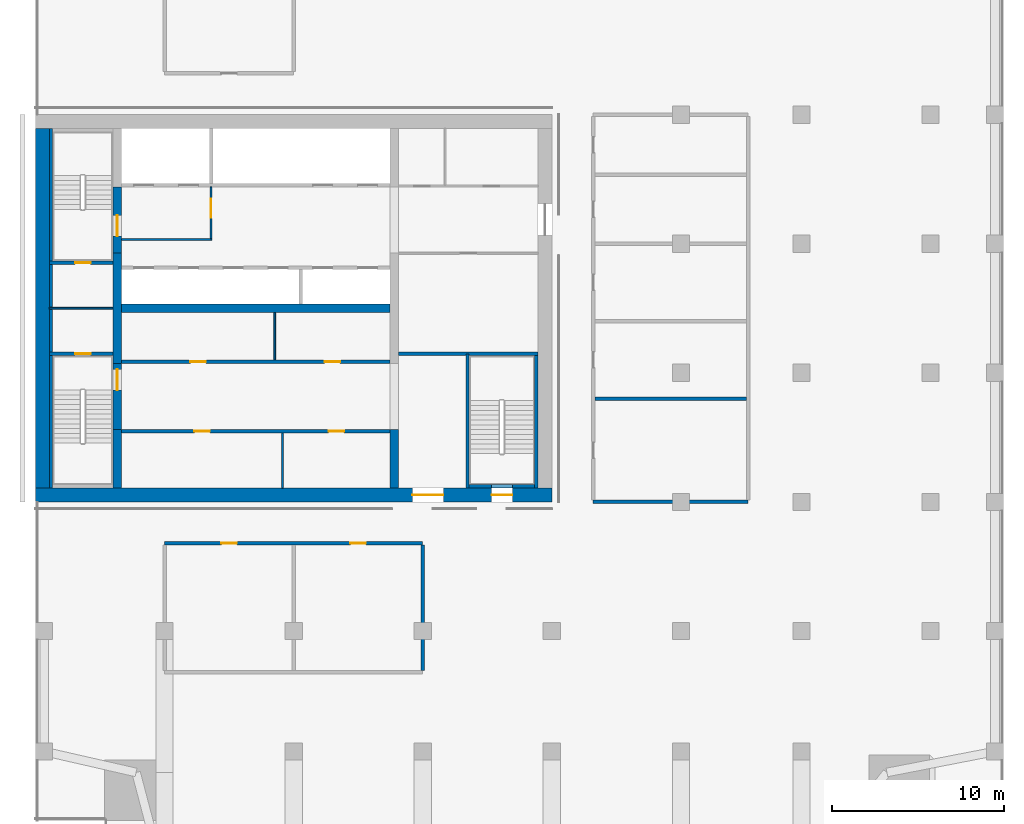
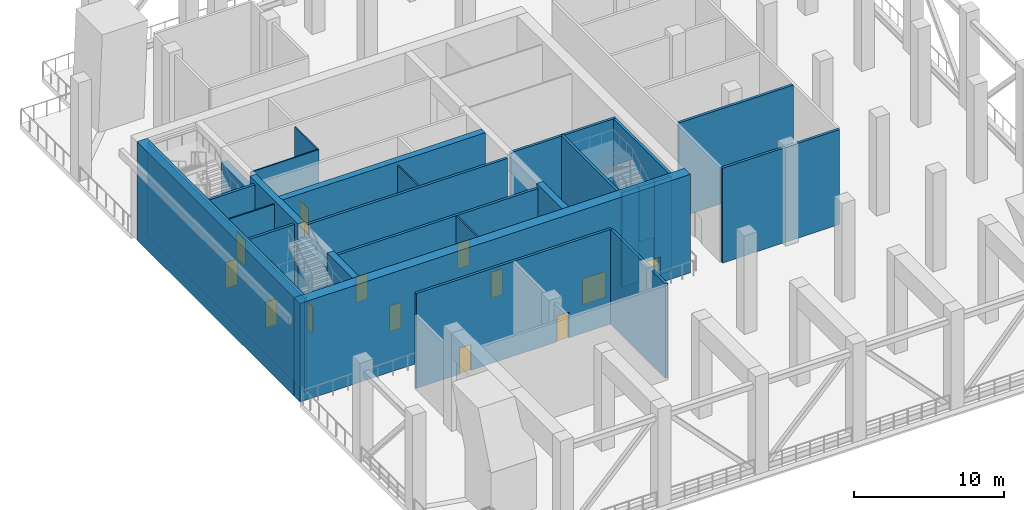
# One storey, part 3 of 12: 28 walls, 13 doors, 13 openings.
"""IFC4 building model written with IfcOpenShell, lengths in metres."""

from ifc_helpers import new_model, si_unit, direction, frame, frame_2d, origin, place, context, subcontext, project, spatial, rectangle, extrude, material, layer, layer_set, type_object, element, fill, save


model = new_model("IFC4")

# Units and contexts
model_context = context("Model", 3, precision=1e-05, world=origin(), true_north=direction((0.0, 1.0)))
body_context = subcontext(model_context, "Body", "Model", "MODEL_VIEW")
ifc_project = project(units=[si_unit("LENGTHUNIT", "METRE"), si_unit("AREAUNIT", "SQUARE_METRE"), si_unit("VOLUMEUNIT", "CUBIC_METRE"), si_unit("PLANEANGLEUNIT", "RADIAN"), si_unit("MASSUNIT", "GRAM", prefix="KILO")], contexts=[model_context])

# Site, building, storey
site_placement = place(None, origin())
site = spatial("IfcSite", under=ifc_project, at=site_placement, CompositionType="ELEMENT")
building_placement = place(site_placement, origin())
building = spatial("IfcBuilding", under=site, at=building_placement, Name="Tamorin Gate", CompositionType="ELEMENT")
storey_placement = place(building_placement, frame((0.0, 0.0, 166.199951171875)))
storey = spatial("IfcBuildingStorey", under=building, at=storey_placement, Name="L41", CompositionType="ELEMENT", Elevation=166.199951171875)

# Wall
ifc_material_1 = material(Name="Fire-rated gypsum board partition")
ifc_layer_1 = layer(ifc_material_1, 0.10009765625)
ifc_layer_set_1 = layer_set([ifc_layer_1], Name="Lobby wall 100 EI 60")
wall_type_1 = type_object("IfcWallType", Name="Lobby wall 100 EI 60", PredefinedType="PARTITIONING", material=ifc_layer_set_1)
wall_1_placement = place(storey_placement, frame((35.0, 75.25, 0.0), z_axis=(0.0, 0.0, 1.0), x_axis=(1.0, 0.0, 0.0)))
element("IfcWall", 1, at=wall_1_placement, inside=storey, type_object=wall_type_1, Name="Firefighting lobby wall", PredefinedType="PARTITIONING", context=body_context, shape_type="SweptSolid", body=[
    extrude(rectangle(XDim=5.25, YDim=0.10009765625, at=frame_2d((2.625, 0.0))), origin(), (0.0, 0.0, 1.0), 7.699951171875),
])

# Wall, opening, door
wall_2_placement = place(storey_placement, frame((40.199951171875, 75.300048828125, 0.0), z_axis=(0.0, 0.0, 1.0), x_axis=(0.0, 1.0, 0.0)))
wall_2 = element("IfcWall", 2, at=wall_2_placement, inside=storey, type_object=wall_type_1, Name="Firefighting lobby wall", PredefinedType="PARTITIONING", context=body_context, shape_type="SweptSolid", body=[
    extrude(rectangle(XDim=3.0, YDim=0.10009765625, at=frame_2d((1.5, 0.0))), origin(), (0.0, 0.0, 1.0), 7.699951171875),
])
opening_1_placement = place(wall_2_placement, frame((1.199951171875, 0.0, 0.0)))
opening_1 = element("IfcOpeningElement", 3, at=opening_1_placement, cuts=wall_2, Name="Opening DF1", PredefinedType="OPENING", context=body_context, shape_type="SweptSolid", body=[
    extrude(rectangle(XDim=1.10009765625, YDim=2.10009765625, at=frame_2d((0.550048828125, 1.050048828125))), frame((0.0, 0.06005859375, 0.0), z_axis=(0.0, -1.0, 0.0), x_axis=(1.0, 0.0, 0.0)), (0.0, 0.0, 1.0), 0.1201171875),
])
ifc_material_2 = material(Name="Steel fire door", Category="steel")
door_type_1 = type_object("IfcDoorType", Name="Firefighting lobby door 1100 x 2100 EI 90", OperationType="SINGLE_SWING_LEFT", PredefinedType="DOOR", material=ifc_material_2)
door_1_placement = place(opening_1_placement, origin())
door_1 = element("IfcDoor", 4, at=door_1_placement, inside=storey, type_object=door_type_1, Name="Firefighting lobby door", OperationType="SINGLE_SWING_LEFT", OverallHeight=2.10009765625, OverallWidth=1.10009765625, PredefinedType="DOOR", context=body_context, shape_type="SweptSolid", body=[
    extrude(rectangle(XDim=1.10009765625, YDim=2.10009765625, at=frame_2d((0.550048828125, 1.050048828125))), frame((0.0, 0.02490234375, 0.0), z_axis=(0.0, -1.0, 0.0), x_axis=(1.0, 0.0, 0.0)), (0.0, 0.0, 1.0), 0.050048828125),
])
fill(opening_1, door_1)

# Wall, openings, doors
ifc_material_3 = material(Name="Gypsum board partition")
ifc_layer_2 = layer(ifc_material_3, 0.199951171875)
ifc_layer_set_2 = layer_set([ifc_layer_2], Name="Plant and refuge wall 200")
wall_type_2 = type_object("IfcWallType", Name="Plant and refuge wall 200", PredefinedType="PARTITIONING", material=ifc_layer_set_2)
wall_3_placement = place(storey_placement, frame((37.5, 57.60009765625, 0.0), z_axis=(0.0, 0.0, 1.0), x_axis=(1.0, 0.0, 0.0)))
wall_3 = element("IfcWall", 5, at=wall_3_placement, inside=storey, type_object=wall_type_2, Name="Plant and refuge wall 200", PredefinedType="PARTITIONING", context=body_context, shape_type="SweptSolid", body=[
    extrude(rectangle(XDim=15.0, YDim=0.199951171875, at=frame_2d((7.5, 0.0))), origin(), (0.0, 0.0, 1.0), 7.699951171875),
])
opening_2_placement = place(wall_3_placement, frame((3.300048828125, 0.0, 0.0)))
opening_2 = element("IfcOpeningElement", 6, at=opening_2_placement, cuts=wall_3, Name="Opening DWF1006", PredefinedType="OPENING", context=body_context, shape_type="SweptSolid", body=[
    extrude(rectangle(XDim=0.89990234375, YDim=2.10009765625, at=frame_2d((0.449951171875, 1.050048828125))), frame((0.0, 0.10986328125, 0.0), z_axis=(0.0, -1.0, 0.0), x_axis=(1.0, 0.0, 0.0)), (0.0, 0.0, 1.0), 0.219970703125),
])
opening_3_placement = place(wall_3_placement, frame((10.800048828125, 0.0, 0.0)))
opening_3 = element("IfcOpeningElement", 7, at=opening_3_placement, cuts=wall_3, Name="Opening DWF1007", PredefinedType="OPENING", context=body_context, shape_type="SweptSolid", body=[
    extrude(rectangle(XDim=0.89990234375, YDim=2.10009765625, at=frame_2d((0.449951171875, 1.050048828125))), frame((0.0, 0.10986328125, 0.0), z_axis=(0.0, -1.0, 0.0), x_axis=(1.0, 0.0, 0.0)), (0.0, 0.0, 1.0), 0.219970703125),
])
ifc_material_4 = material(Name="Timber door leaf", Category="wood")
door_type_2 = type_object("IfcDoorType", Name="Door 900 x 2100 FD60", OperationType="NOTDEFINED", PredefinedType="DOOR", material=ifc_material_4)
door_2_placement = place(opening_2_placement, origin())
door_2 = element("IfcDoor", 8, at=door_2_placement, inside=storey, type_object=door_type_2, Name="Door DWF1006", OperationType="SINGLE_SWING_RIGHT", OverallHeight=2.10009765625, OverallWidth=0.89990234375, PredefinedType="DOOR", context=body_context, shape_type="SweptSolid", body=[
    extrude(rectangle(XDim=0.89990234375, YDim=2.10009765625, at=frame_2d((0.449951171875, 1.050048828125))), frame((0.0, 0.02490234375, 0.0), z_axis=(0.0, -1.0, 0.0), x_axis=(1.0, 0.0, 0.0)), (0.0, 0.0, 1.0), 0.050048828125),
])
fill(opening_2, door_2)
door_3_placement = place(opening_3_placement, origin())
door_3 = element("IfcDoor", 9, at=door_3_placement, inside=storey, type_object=door_type_2, Name="Door DWF1007", OperationType="SINGLE_SWING_RIGHT", OverallHeight=2.10009765625, OverallWidth=0.89990234375, PredefinedType="DOOR", context=body_context, shape_type="SweptSolid", body=[
    extrude(rectangle(XDim=0.89990234375, YDim=2.10009765625, at=frame_2d((0.449951171875, 1.050048828125))), frame((0.0, 0.02490234375, 0.0), z_axis=(0.0, -1.0, 0.0), x_axis=(1.0, 0.0, 0.0)), (0.0, 0.0, 1.0), 0.050048828125),
])
fill(opening_3, door_3)

# Walls
wall_4_placement = place(storey_placement, frame((62.39990234375, 60.0, 0.0), z_axis=(0.0, 0.0, 1.0), x_axis=(1.0, 0.0, 0.0)))
element("IfcWall", 10, at=wall_4_placement, inside=storey, type_object=wall_type_2, Name="Plant and refuge wall 200", PredefinedType="PARTITIONING", context=body_context, shape_type="SweptSolid", body=[
    extrude(rectangle(XDim=9.0, YDim=0.199951171875, at=frame_2d((4.5, 0.0))), origin(), (0.0, 0.0, 1.0), 7.699951171875),
])
wall_5_placement = place(storey_placement, frame((62.5, 66.0, 0.0), z_axis=(0.0, 0.0, 1.0), x_axis=(1.0, 0.0, 0.0)))
element("IfcWall", 11, at=wall_5_placement, inside=storey, type_object=wall_type_2, Name="Plant and refuge wall 200", PredefinedType="PARTITIONING", context=body_context, shape_type="SweptSolid", body=[
    extrude(rectangle(XDim=8.800048828125, YDim=0.199951171875, at=frame_2d((4.39990234375, 0.0))), origin(), (0.0, 0.0, 1.0), 7.699951171875),
])
wall_6_placement = place(storey_placement, frame((52.5, 50.199951171875, 0.0), z_axis=(0.0, 0.0, 1.0), x_axis=(0.0, 1.0, 0.0)))
element("IfcWall", 12, at=wall_6_placement, inside=storey, type_object=wall_type_2, Name="Plant and refuge wall 200", PredefinedType="PARTITIONING", context=body_context, shape_type="SweptSolid", body=[
    extrude(rectangle(XDim=7.300048828125, YDim=0.199951171875, at=frame_2d((3.64990234375, 0.0))), origin(), (0.0, 0.0, 1.0), 7.699951171875),
])
ifc_material_5 = material(Name="Concrete C60/75", Category="concrete")
ifc_layer_3 = layer(ifc_material_5, 0.5)
ifc_layer_set_3 = layer_set([ifc_layer_3], Name="RC core internal wall 500 C60/75")
wall_type_3 = type_object("IfcWallType", Name="RC core internal wall 500 C60/75", PredefinedType="SHEAR", material=ifc_layer_set_3)
wall_7_placement = place(storey_placement, frame((35.0, 71.25, 0.0), z_axis=(0.0, 0.0, 1.0), x_axis=(1.0, 0.0, 0.0)))
element("IfcWall", 13, at=wall_7_placement, inside=storey, type_object=wall_type_3, Name="Core spine wall L41", PredefinedType="SHEAR", context=body_context, shape_type="SweptSolid", body=[
    extrude(rectangle(XDim=15.60009765625, YDim=0.5, at=frame_2d((7.800048828125, 0.0))), origin(), (0.0, 0.0, 1.0), 8.0),
])
wall_8_placement = place(storey_placement, frame((34.75, 60.800048828125, 0.0), z_axis=(0.0, 0.0, 1.0), x_axis=(0.0, 1.0, 0.0)))
element("IfcWall", 14, at=wall_8_placement, inside=storey, type_object=wall_type_3, Name="Core cross wall L41", PredefinedType="SHEAR", context=body_context, shape_type="SweptSolid", body=[
    extrude(rectangle(XDim=3.39990234375, YDim=0.5, at=frame_2d((1.699951171875, 0.0))), origin(), (0.0, 0.0, 1.0), 8.0),
])
wall_9_placement = place(storey_placement, frame((34.75, 68.050048828125, 0.0), z_axis=(0.0, 0.0, 1.0), x_axis=(0.0, 1.0, 0.0)))
element("IfcWall", 15, at=wall_9_placement, inside=storey, type_object=wall_type_3, Name="Core cross wall L41", PredefinedType="SHEAR", context=body_context, shape_type="SweptSolid", body=[
    extrude(rectangle(XDim=6.39990234375, YDim=0.5, at=frame_2d((3.199951171875, 0.0))), origin(), (0.0, 0.0, 1.0), 8.0),
])
wall_10_placement = place(storey_placement, frame((50.85009765625, 60.800048828125, 0.0), z_axis=(0.0, 0.0, 1.0), x_axis=(0.0, 1.0, 0.0)))
element("IfcWall", 16, at=wall_10_placement, inside=storey, type_object=wall_type_3, Name="Core cross wall L41", PredefinedType="SHEAR", context=body_context, shape_type="SweptSolid", body=[
    extrude(rectangle(XDim=3.39990234375, YDim=0.5, at=frame_2d((1.699951171875, 0.0))), origin(), (0.0, 0.0, 1.0), 8.0),
])

# Wall, openings, doors
ifc_layer_4 = layer(ifc_material_5, 0.800048828125)
ifc_layer_set_4 = layer_set([ifc_layer_4], Name="RC core wall 800 C60/75")
wall_type_4 = type_object("IfcWallType", Name="RC core wall 800 C60/75", PredefinedType="SHEAR", material=ifc_layer_set_4)
wall_11_placement = place(storey_placement, frame((30.0, 60.39990234375, 0.0), z_axis=(0.0, 0.0, 1.0), x_axis=(1.0, 0.0, 0.0)))
wall_11 = element("IfcWall", 17, at=wall_11_placement, inside=storey, type_object=wall_type_4, Name="Core wall L41", PredefinedType="SHEAR", context=body_context, shape_type="SweptSolid", body=[
    extrude(rectangle(XDim=30.0, YDim=0.800048828125, at=frame_2d((15.0, 0.0))), origin(), (0.0, 0.0, 1.0), 8.0),
])
opening_4_placement = place(wall_11_placement, frame((21.89990234375, 0.0, 0.0)))
opening_4 = element("IfcOpeningElement", 18, at=opening_4_placement, cuts=wall_11, Name="Opening DE1", PredefinedType="OPENING", context=body_context, shape_type="SweptSolid", body=[
    extrude(rectangle(XDim=1.800048828125, YDim=2.10009765625, at=frame_2d((0.89990234375, 1.050048828125))), frame((0.0, 0.409912109375, 0.0), z_axis=(0.0, -1.0, 0.0), x_axis=(1.0, 0.0, 0.0)), (0.0, 0.0, 1.0), 0.820068359375),
])
opening_5_placement = place(wall_11_placement, frame((26.5, 0.0, 0.0)))
opening_5 = element("IfcOpeningElement", 19, at=opening_5_placement, cuts=wall_11, Name="Opening DS1", PredefinedType="OPENING", context=body_context, shape_type="SweptSolid", body=[
    extrude(rectangle(XDim=1.199951171875, YDim=2.10009765625, at=frame_2d((0.60009765625, 1.050048828125))), frame((0.0, 0.409912109375, 0.0), z_axis=(0.0, -1.0, 0.0), x_axis=(1.0, 0.0, 0.0)), (0.0, 0.0, 1.0), 0.820068359375),
])
door_type_3 = type_object("IfcDoorType", Name="Lobby exit double door 1800 x 2100 EI 60", OperationType="DOUBLE_DOOR_SINGLE_SWING", PredefinedType="DOOR", material=ifc_material_2)
door_4_placement = place(opening_4_placement, origin())
door_4 = element("IfcDoor", 20, at=door_4_placement, inside=storey, type_object=door_type_3, Name="Lift lobby A exit door", OperationType="DOUBLE_DOOR_SINGLE_SWING", OverallHeight=2.10009765625, OverallWidth=1.800048828125, PredefinedType="DOOR", context=body_context, shape_type="SweptSolid", body=[
    extrude(rectangle(XDim=1.800048828125, YDim=2.10009765625, at=frame_2d((0.89990234375, 1.050048828125))), frame((0.0, 0.02490234375, 0.0), z_axis=(0.0, -1.0, 0.0), x_axis=(1.0, 0.0, 0.0)), (0.0, 0.0, 1.0), 0.050048828125),
])
fill(opening_4, door_4)
door_type_4 = type_object("IfcDoorType", Name="Stair door 1200 x 2100 EI 90", OperationType="SINGLE_SWING_LEFT", PredefinedType="DOOR", material=ifc_material_2)
door_5_placement = place(opening_5_placement, origin())
door_5 = element("IfcDoor", 21, at=door_5_placement, inside=storey, type_object=door_type_4, Name="ST3 door", OperationType="SINGLE_SWING_LEFT", OverallHeight=2.10009765625, OverallWidth=1.199951171875, PredefinedType="DOOR", context=body_context, shape_type="SweptSolid", body=[
    extrude(rectangle(XDim=1.199951171875, YDim=2.10009765625, at=frame_2d((0.60009765625, 1.050048828125))), frame((0.0, 0.02490234375, 0.0), z_axis=(0.0, -1.0, 0.0), x_axis=(1.0, 0.0, 0.0)), (0.0, 0.0, 1.0), 0.050048828125),
])
fill(opening_5, door_5)

# Walls
wall_12_placement = place(storey_placement, frame((30.39990234375, 60.800048828125, 0.0), z_axis=(0.0, 0.0, 1.0), x_axis=(0.0, 1.0, 0.0)))
element("IfcWall", 22, at=wall_12_placement, inside=storey, type_object=wall_type_4, Name="Core wall L41", PredefinedType="SHEAR", context=body_context, shape_type="SweptSolid", body=[
    extrude(rectangle(XDim=20.89990234375, YDim=0.800048828125, at=frame_2d((10.449951171875, 0.0))), origin(), (0.0, 0.0, 1.0), 8.0),
])
ifc_layer_5 = layer(ifc_material_1, 0.10009765625)
ifc_layer_set_5 = layer_set([ifc_layer_5], Name="Riser partition 100 EI 120")
wall_type_5 = type_object("IfcWallType", Name="Riser partition 100 EI 120", PredefinedType="PARTITIONING", material=ifc_layer_set_5)
wall_13_placement = place(storey_placement, frame((30.800048828125, 71.25, 0.0), z_axis=(0.0, 0.0, 1.0), x_axis=(1.0, 0.0, 0.0)))
element("IfcWall", 23, at=wall_13_placement, inside=storey, type_object=wall_type_5, Name="Riser partition", PredefinedType="PARTITIONING", context=body_context, shape_type="SweptSolid", body=[
    extrude(rectangle(XDim=3.699951171875, YDim=0.10009765625, at=frame_2d((1.85009765625, 0.0))), origin(), (0.0, 0.0, 1.0), 7.699951171875),
])

# Wall, openings, doors
ifc_layer_6 = layer(ifc_material_3, 0.199951171875)
ifc_layer_set_6 = layer_set([ifc_layer_6], Name="Service room face wall 200 EI 60")
wall_type_6 = type_object("IfcWallType", Name="Service room face wall 200 EI 60", PredefinedType="PARTITIONING", material=ifc_layer_set_6)
wall_14_placement = place(storey_placement, frame((35.0, 64.10009765625, 0.0), z_axis=(0.0, 0.0, 1.0), x_axis=(1.0, 0.0, 0.0)))
wall_14 = element("IfcWall", 24, at=wall_14_placement, inside=storey, type_object=wall_type_6, Name="Service room face wall", PredefinedType="PARTITIONING", context=body_context, shape_type="SweptSolid", body=[
    extrude(rectangle(XDim=15.60009765625, YDim=0.199951171875, at=frame_2d((7.800048828125, 0.0))), origin(), (0.0, 0.0, 1.0), 7.699951171875),
])
opening_6_placement = place(wall_14_placement, frame((4.22509765625, 0.0, 0.0)))
opening_6 = element("IfcOpeningElement", 25, at=opening_6_placement, cuts=wall_14, Name="Opening DK1", PredefinedType="OPENING", context=body_context, shape_type="SweptSolid", body=[
    extrude(rectangle(XDim=0.89990234375, YDim=2.10009765625, at=frame_2d((0.449951171875, 1.050048828125))), frame((0.0, 0.10986328125, 0.0), z_axis=(0.0, -1.0, 0.0), x_axis=(1.0, 0.0, 0.0)), (0.0, 0.0, 1.0), 0.219970703125),
])
opening_7_placement = place(wall_14_placement, frame((12.02490234375, 0.0, 0.0)))
opening_7 = element("IfcOpeningElement", 26, at=opening_7_placement, cuts=wall_14, Name="Opening DK1", PredefinedType="OPENING", context=body_context, shape_type="SweptSolid", body=[
    extrude(rectangle(XDim=0.89990234375, YDim=2.10009765625, at=frame_2d((0.449951171875, 1.050048828125))), frame((0.0, 0.10986328125, 0.0), z_axis=(0.0, -1.0, 0.0), x_axis=(1.0, 0.0, 0.0)), (0.0, 0.0, 1.0), 0.219970703125),
])
ifc_material_6 = material(Name="Timber fire door", Category="wood")
door_type_5 = type_object("IfcDoorType", Name="Service room door 900 x 2100 EI 60", OperationType="SINGLE_SWING_LEFT", PredefinedType="DOOR", material=ifc_material_6)
door_6_placement = place(opening_6_placement, origin())
door_6 = element("IfcDoor", 27, at=door_6_placement, inside=storey, type_object=door_type_5, Name="Door Smoke extract riser room", OperationType="SINGLE_SWING_LEFT", OverallHeight=2.10009765625, OverallWidth=0.89990234375, PredefinedType="DOOR", context=body_context, shape_type="SweptSolid", body=[
    extrude(rectangle(XDim=0.89990234375, YDim=2.10009765625, at=frame_2d((0.449951171875, 1.050048828125))), frame((0.0, 0.02490234375, 0.0), z_axis=(0.0, -1.0, 0.0), x_axis=(1.0, 0.0, 0.0)), (0.0, 0.0, 1.0), 0.050048828125),
])
fill(opening_6, door_6)
door_7_placement = place(opening_7_placement, origin())
door_7 = element("IfcDoor", 28, at=door_7_placement, inside=storey, type_object=door_type_5, Name="Door Electrical switch room", OperationType="SINGLE_SWING_RIGHT", OverallHeight=2.10009765625, OverallWidth=0.89990234375, PredefinedType="DOOR", context=body_context, shape_type="SweptSolid", body=[
    extrude(rectangle(XDim=0.89990234375, YDim=2.10009765625, at=frame_2d((0.449951171875, 1.050048828125))), frame((0.0, 0.02490234375, 0.0), z_axis=(0.0, -1.0, 0.0), x_axis=(1.0, 0.0, 0.0)), (0.0, 0.0, 1.0), 0.050048828125),
])
fill(opening_7, door_7)

wall_15_placement = place(storey_placement, frame((35.0, 68.14990234375, 0.0), z_axis=(0.0, 0.0, 1.0), x_axis=(1.0, 0.0, 0.0)))
wall_15 = element("IfcWall", 29, at=wall_15_placement, inside=storey, type_object=wall_type_6, Name="Service room face wall", PredefinedType="PARTITIONING", context=body_context, shape_type="SweptSolid", body=[
    extrude(rectangle(XDim=15.60009765625, YDim=0.199951171875, at=frame_2d((7.800048828125, 0.0))), origin(), (0.0, 0.0, 1.0), 7.699951171875),
])
opening_8_placement = place(wall_15_placement, frame((4.0, 0.0, 0.0)))
opening_8 = element("IfcOpeningElement", 30, at=opening_8_placement, cuts=wall_15, Name="Opening DK1", PredefinedType="OPENING", context=body_context, shape_type="SweptSolid", body=[
    extrude(rectangle(XDim=0.89990234375, YDim=2.10009765625, at=frame_2d((0.449951171875, 1.050048828125))), frame((0.0, 0.10986328125, 0.0), z_axis=(0.0, -1.0, 0.0), x_axis=(1.0, 0.0, 0.0)), (0.0, 0.0, 1.0), 0.219970703125),
])
opening_9_placement = place(wall_15_placement, frame((11.800048828125, 0.0, 0.0)))
opening_9 = element("IfcOpeningElement", 31, at=opening_9_placement, cuts=wall_15, Name="Opening DK1", PredefinedType="OPENING", context=body_context, shape_type="SweptSolid", body=[
    extrude(rectangle(XDim=0.89990234375, YDim=2.10009765625, at=frame_2d((0.449951171875, 1.050048828125))), frame((0.0, 0.10986328125, 0.0), z_axis=(0.0, -1.0, 0.0), x_axis=(1.0, 0.0, 0.0)), (0.0, 0.0, 1.0), 0.219970703125),
])
door_8_placement = place(opening_8_placement, origin())
door_8 = element("IfcDoor", 32, at=door_8_placement, inside=storey, type_object=door_type_5, Name="Door BMS room", OperationType="SINGLE_SWING_LEFT", OverallHeight=2.10009765625, OverallWidth=0.89990234375, PredefinedType="DOOR", context=body_context, shape_type="SweptSolid", body=[
    extrude(rectangle(XDim=0.89990234375, YDim=2.10009765625, at=frame_2d((0.449951171875, 1.050048828125))), frame((0.0, 0.02490234375, 0.0), z_axis=(0.0, -1.0, 0.0), x_axis=(1.0, 0.0, 0.0)), (0.0, 0.0, 1.0), 0.050048828125),
])
fill(opening_8, door_8)
door_9_placement = place(opening_9_placement, origin())
door_9 = element("IfcDoor", 33, at=door_9_placement, inside=storey, type_object=door_type_5, Name="Door Telecom room", OperationType="SINGLE_SWING_RIGHT", OverallHeight=2.10009765625, OverallWidth=0.89990234375, PredefinedType="DOOR", context=body_context, shape_type="SweptSolid", body=[
    extrude(rectangle(XDim=0.89990234375, YDim=2.10009765625, at=frame_2d((0.449951171875, 1.050048828125))), frame((0.0, 0.02490234375, 0.0), z_axis=(0.0, -1.0, 0.0), x_axis=(1.0, 0.0, 0.0)), (0.0, 0.0, 1.0), 0.050048828125),
])
fill(opening_9, door_9)

# Walls
ifc_layer_7 = layer(ifc_material_3, 0.10009765625)
ifc_layer_set_7 = layer_set([ifc_layer_7], Name="Service room partition 100 EI 60")
wall_type_7 = type_object("IfcWallType", Name="Service room partition 100 EI 60", PredefinedType="PARTITIONING", material=ifc_layer_set_7)
wall_16_placement = place(storey_placement, frame((44.35009765625, 60.800048828125, 0.0), z_axis=(0.0, 0.0, 1.0), x_axis=(0.0, 1.0, 0.0)))
element("IfcWall", 34, at=wall_16_placement, inside=storey, type_object=wall_type_7, Name="Service room partition", PredefinedType="PARTITIONING", context=body_context, shape_type="SweptSolid", body=[
    extrude(rectangle(XDim=3.199951171875, YDim=0.10009765625, at=frame_2d((1.60009765625, 0.0))), origin(), (0.0, 0.0, 1.0), 7.699951171875),
])
wall_17_placement = place(storey_placement, frame((43.89990234375, 68.25, 0.0), z_axis=(0.0, 0.0, 1.0), x_axis=(0.0, 1.0, 0.0)))
element("IfcWall", 35, at=wall_17_placement, inside=storey, type_object=wall_type_7, Name="Service room partition", PredefinedType="PARTITIONING", context=body_context, shape_type="SweptSolid", body=[
    extrude(rectangle(XDim=2.75, YDim=0.10009765625, at=frame_2d((1.375, 0.0))), origin(), (0.0, 0.0, 1.0), 7.699951171875),
])

# Wall, opening, door
ifc_material_7 = material(Name="Concrete C40/50", Category="concrete")
ifc_layer_8 = layer(ifc_material_7, 0.199951171875)
ifc_layer_set_8 = layer_set([ifc_layer_8], Name="Stair enclosure wall 200 EI 120 C40/50")
wall_type_8 = type_object("IfcWallType", Name="Stair enclosure wall 200 EI 120 C40/50", PredefinedType="SOLIDWALL", material=ifc_layer_set_8)
wall_18_placement = place(storey_placement, frame((30.800048828125, 68.60009765625, 0.0), z_axis=(0.0, 0.0, 1.0), x_axis=(1.0, 0.0, 0.0)))
wall_18 = element("IfcWall", 36, at=wall_18_placement, inside=storey, type_object=wall_type_8, Name="Stair enclosure wall", PredefinedType="SOLIDWALL", context=body_context, shape_type="SweptSolid", body=[
    extrude(rectangle(XDim=3.699951171875, YDim=0.199951171875, at=frame_2d((1.85009765625, 0.0))), origin(), (0.0, 0.0, 1.0), 7.699951171875),
])
opening_10_placement = place(wall_18_placement, frame((1.5, 0.0, 0.0)))
opening_10 = element("IfcOpeningElement", 37, at=opening_10_placement, cuts=wall_18, Name="Opening DR1", PredefinedType="OPENING", context=body_context, shape_type="SweptSolid", body=[
    extrude(rectangle(XDim=0.89990234375, YDim=2.10009765625, at=frame_2d((0.449951171875, 1.050048828125))), frame((0.0, 0.10986328125, 0.0), z_axis=(0.0, -1.0, 0.0), x_axis=(1.0, 0.0, 0.0)), (0.0, 0.0, 1.0), 0.219970703125),
])
door_type_6 = type_object("IfcDoorType", Name="Riser access door 900 x 2100 EI 120", OperationType="SINGLE_SWING_LEFT", PredefinedType="DOOR", material=ifc_material_2)
door_10_placement = place(opening_10_placement, origin())
door_10 = element("IfcDoor", 38, at=door_10_placement, inside=storey, type_object=door_type_6, Name="Electrical riser door", OperationType="SINGLE_SWING_LEFT", OverallHeight=2.10009765625, OverallWidth=0.89990234375, PredefinedType="DOOR", context=body_context, shape_type="SweptSolid", body=[
    extrude(rectangle(XDim=0.89990234375, YDim=2.10009765625, at=frame_2d((0.449951171875, 1.050048828125))), frame((0.0, 0.02490234375, 0.0), z_axis=(0.0, -1.0, 0.0), x_axis=(1.0, 0.0, 0.0)), (0.0, 0.0, 1.0), 0.050048828125),
])
fill(opening_10, door_10)

wall_19_placement = place(storey_placement, frame((30.800048828125, 73.89990234375, 0.0), z_axis=(0.0, 0.0, 1.0), x_axis=(1.0, 0.0, 0.0)))
wall_19 = element("IfcWall", 39, at=wall_19_placement, inside=storey, type_object=wall_type_8, Name="Stair enclosure wall", PredefinedType="SOLIDWALL", context=body_context, shape_type="SweptSolid", body=[
    extrude(rectangle(XDim=3.699951171875, YDim=0.199951171875, at=frame_2d((1.85009765625, 0.0))), origin(), (0.0, 0.0, 1.0), 7.699951171875),
])
opening_11_placement = place(wall_19_placement, frame((1.5, 0.0, 0.0)))
opening_11 = element("IfcOpeningElement", 40, at=opening_11_placement, cuts=wall_19, Name="Opening DR1", PredefinedType="OPENING", context=body_context, shape_type="SweptSolid", body=[
    extrude(rectangle(XDim=0.89990234375, YDim=2.10009765625, at=frame_2d((0.449951171875, 1.050048828125))), frame((0.0, 0.10986328125, 0.0), z_axis=(0.0, -1.0, 0.0), x_axis=(1.0, 0.0, 0.0)), (0.0, 0.0, 1.0), 0.219970703125),
])
door_11_placement = place(opening_11_placement, origin())
door_11 = element("IfcDoor", 41, at=door_11_placement, inside=storey, type_object=door_type_6, Name="Communications riser door", OperationType="SINGLE_SWING_RIGHT", OverallHeight=2.10009765625, OverallWidth=0.89990234375, PredefinedType="DOOR", context=body_context, shape_type="SweptSolid", body=[
    extrude(rectangle(XDim=0.89990234375, YDim=2.10009765625, at=frame_2d((0.449951171875, 1.050048828125))), frame((0.0, 0.02490234375, 0.0), z_axis=(0.0, -1.0, 0.0), x_axis=(1.0, 0.0, 0.0)), (0.0, 0.0, 1.0), 0.050048828125),
])
fill(opening_11, door_11)

# Walls
wall_20_placement = place(storey_placement, frame((55.10009765625, 60.800048828125, 0.0), z_axis=(0.0, 0.0, 1.0), x_axis=(0.0, 1.0, 0.0)))
element("IfcWall", 42, at=wall_20_placement, inside=storey, type_object=wall_type_8, Name="Stair enclosure wall", PredefinedType="SOLIDWALL", context=body_context, shape_type="SweptSolid", body=[
    extrude(rectangle(XDim=7.800048828125, YDim=0.199951171875, at=frame_2d((3.89990234375, 0.0))), origin(), (0.0, 0.0, 1.0), 7.699951171875),
])
wall_21_placement = place(storey_placement, frame((51.10009765625, 68.60009765625, 0.0), z_axis=(0.0, 0.0, 1.0), x_axis=(1.0, 0.0, 0.0)))
element("IfcWall", 43, at=wall_21_placement, inside=storey, type_object=wall_type_8, Name="Stair enclosure wall", PredefinedType="SOLIDWALL", context=body_context, shape_type="SweptSolid", body=[
    extrude(rectangle(XDim=8.099853515625, YDim=0.199951171875, at=frame_2d((4.0498046875, 0.0))), origin(), (0.0, 0.0, 1.0), 7.699951171875),
])
ifc_layer_9 = layer(ifc_material_5, 0.199951171875)
ifc_layer_set_9 = layer_set([ifc_layer_9], Name="Stair lining wall 200 EI 120 C60/75")
wall_type_9 = type_object("IfcWallType", Name="Stair lining wall 200 EI 120 C60/75", PredefinedType="SOLIDWALL", material=ifc_layer_set_9)
wall_22_placement = place(storey_placement, frame((30.89990234375, 60.800048828125, 0.0), z_axis=(0.0, 0.0, 1.0), x_axis=(0.0, 1.0, 0.0)))
element("IfcWall", 44, at=wall_22_placement, inside=storey, type_object=wall_type_9, Name="Stair lining wall", PredefinedType="SOLIDWALL", context=body_context, shape_type="SweptSolid", body=[
    extrude(rectangle(XDim=20.89990234375, YDim=0.199951171875, at=frame_2d((10.449951171875, 0.0))), origin(), (0.0, 0.0, 1.0), 7.699951171875),
])
for number, where, z_axis, x_axis, name in (
    (45, (55.199951171875, 60.89990234375, 0.0), (0.0, 0.0, 1.0), (1.0, 0.0, 0.0), "Stair lining wall"),
    (46, (57.699951171875, 60.89990234375, 0.0), (0.0, 0.0, 1.0), (1.0, 0.0, 0.0), "Stair lining wall"),
):
    element("IfcWall", number, at=place(storey_placement, frame(where, z_axis=z_axis, x_axis=x_axis)), inside=storey, type_object=wall_type_9, Name=name, PredefinedType="SOLIDWALL", context=body_context, shape_type="SweptSolid", body=[
        extrude(rectangle(XDim=1.300048828125, YDim=0.199951171875, at=frame_2d((0.64990234375, 0.0))), origin(), (0.0, 0.0, 1.0), 7.699951171875),
    ])
wall_23_placement = place(storey_placement, frame((59.10009765625, 60.800048828125, 0.0), z_axis=(0.0, 0.0, 1.0), x_axis=(0.0, 1.0, 0.0)))
element("IfcWall", 47, at=wall_23_placement, inside=storey, type_object=wall_type_9, Name="Stair lining wall", PredefinedType="SOLIDWALL", context=body_context, shape_type="SweptSolid", body=[
    extrude(rectangle(XDim=7.699951171875, YDim=0.199951171875, at=frame_2d((3.85009765625, 0.0))), origin(), (0.0, 0.0, 1.0), 7.699951171875),
])
wall_24_placement = place(storey_placement, frame((56.5, 60.89990234375, 3.199951171875), z_axis=(0.0, 0.0, 1.0), x_axis=(1.0, 0.0, 0.0)))
element("IfcWall", 48, at=wall_24_placement, inside=storey, type_object=wall_type_9, Name="Stair lining wall", PredefinedType="SOLIDWALL", context=body_context, shape_type="SweptSolid", body=[
    extrude(rectangle(XDim=1.199951171875, YDim=0.199951171875, at=frame_2d((0.60009765625, 0.0))), origin(), (0.0, 0.0, 1.0), 4.5),
])

# Wall, opening, door
ifc_material_8 = material(Name="Concrete C32/40", Category="concrete")
ifc_layer_10 = layer(ifc_material_8, 0.5)
ifc_layer_set_10 = layer_set([ifc_layer_10], Name="Stair lobby infill wall 500 EI 120")
wall_type_10 = type_object("IfcWallType", Name="Stair lobby infill wall 500 EI 120", PredefinedType="SOLIDWALL", material=ifc_layer_set_10)
wall_25_placement = place(storey_placement, frame((34.75, 64.199951171875, 0.0), z_axis=(0.0, 0.0, 1.0), x_axis=(0.0, 1.0, 0.0)))
wall_25 = element("IfcWall", 49, at=wall_25_placement, inside=storey, type_object=wall_type_10, Name="Stair lobby infill wall", PredefinedType="SOLIDWALL", context=body_context, shape_type="SweptSolid", body=[
    extrude(rectangle(XDim=3.85009765625, YDim=0.5, at=frame_2d((1.925048828125, 0.0))), origin(), (0.0, 0.0, 1.0), 6.800048828125),
])
opening_12_placement = place(wall_25_placement, frame((2.300048828125, 0.0, 0.0)))
opening_12 = element("IfcOpeningElement", 50, at=opening_12_placement, cuts=wall_25, Name="Opening DS1", PredefinedType="OPENING", context=body_context, shape_type="SweptSolid", body=[
    extrude(rectangle(XDim=1.199951171875, YDim=2.10009765625, at=frame_2d((0.60009765625, 1.050048828125))), frame((0.0, 0.260009765625, 0.0), z_axis=(0.0, -1.0, 0.0), x_axis=(1.0, 0.0, 0.0)), (0.0, 0.0, 1.0), 0.52001953125),
])
door_12_placement = place(opening_12_placement, origin())
door_12 = element("IfcDoor", 51, at=door_12_placement, inside=storey, type_object=door_type_4, Name="ST1 door", OperationType="SINGLE_SWING_LEFT", OverallHeight=2.10009765625, OverallWidth=1.199951171875, PredefinedType="DOOR", context=body_context, shape_type="SweptSolid", body=[
    extrude(rectangle(XDim=1.199951171875, YDim=2.10009765625, at=frame_2d((0.60009765625, 1.050048828125))), frame((0.0, 0.02490234375, 0.0), z_axis=(0.0, -1.0, 0.0), x_axis=(1.0, 0.0, 0.0)), (0.0, 0.0, 1.0), 0.050048828125),
])
fill(opening_12, door_12)

wall_26_placement = place(storey_placement, frame((34.75, 74.449951171875, 0.0), z_axis=(0.0, 0.0, 1.0), x_axis=(0.0, 1.0, 0.0)))
wall_26 = element("IfcWall", 52, at=wall_26_placement, inside=storey, type_object=wall_type_10, Name="Stair lobby infill wall", PredefinedType="SOLIDWALL", context=body_context, shape_type="SweptSolid", body=[
    extrude(rectangle(XDim=3.85009765625, YDim=0.5, at=frame_2d((1.925048828125, 0.0))), origin(), (0.0, 0.0, 1.0), 6.800048828125),
])
opening_13_placement = place(wall_26_placement, frame((1.0, 0.0, 0.0)))
opening_13 = element("IfcOpeningElement", 53, at=opening_13_placement, cuts=wall_26, Name="Opening DS1", PredefinedType="OPENING", context=body_context, shape_type="SweptSolid", body=[
    extrude(rectangle(XDim=1.199951171875, YDim=2.10009765625, at=frame_2d((0.60009765625, 1.050048828125))), frame((0.0, 0.260009765625, 0.0), z_axis=(0.0, -1.0, 0.0), x_axis=(1.0, 0.0, 0.0)), (0.0, 0.0, 1.0), 0.52001953125),
])
door_13_placement = place(opening_13_placement, origin())
door_13 = element("IfcDoor", 54, at=door_13_placement, inside=storey, type_object=door_type_4, Name="ST2 door", OperationType="SINGLE_SWING_RIGHT", OverallHeight=2.10009765625, OverallWidth=1.199951171875, PredefinedType="DOOR", context=body_context, shape_type="SweptSolid", body=[
    extrude(rectangle(XDim=1.199951171875, YDim=2.10009765625, at=frame_2d((0.60009765625, 1.050048828125))), frame((0.0, 0.02490234375, 0.0), z_axis=(0.0, -1.0, 0.0), x_axis=(1.0, 0.0, 0.0)), (0.0, 0.0, 1.0), 0.050048828125),
])
fill(opening_13, door_13)

save(model, "model.ifc")
